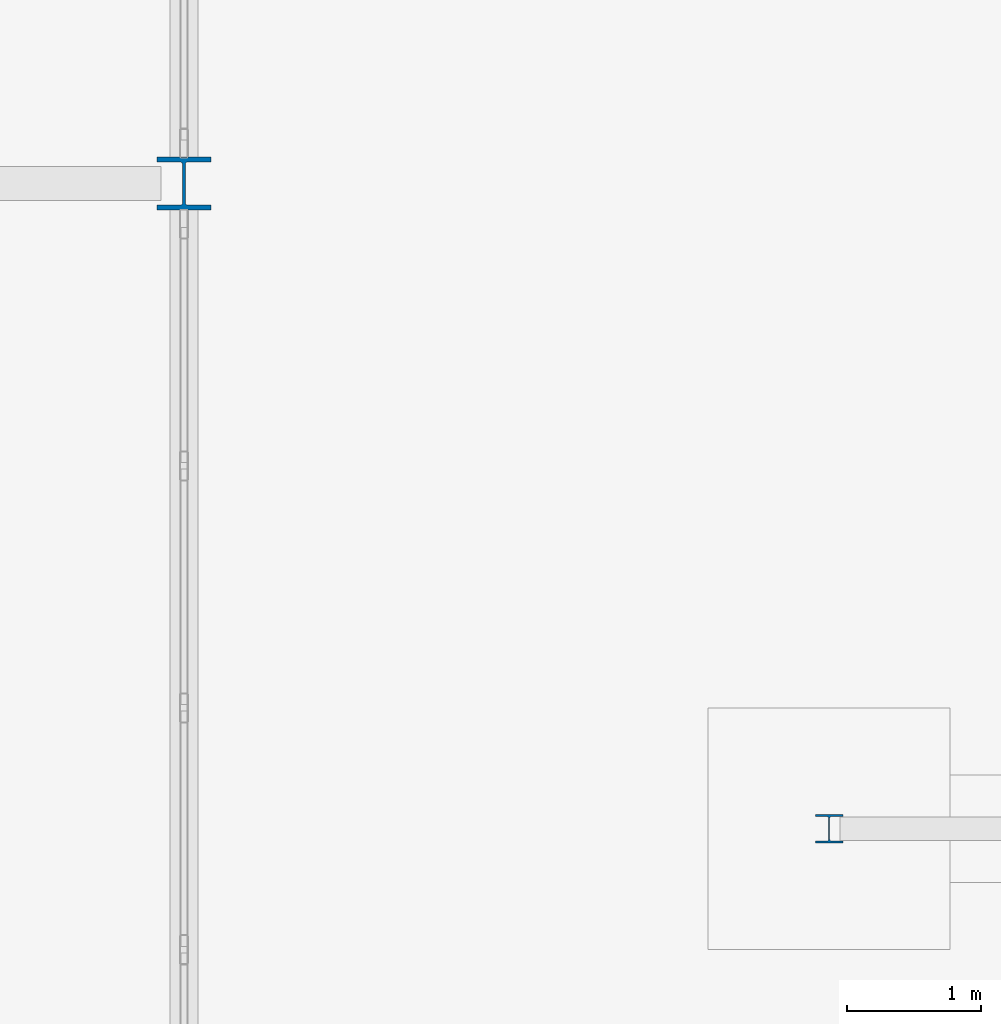
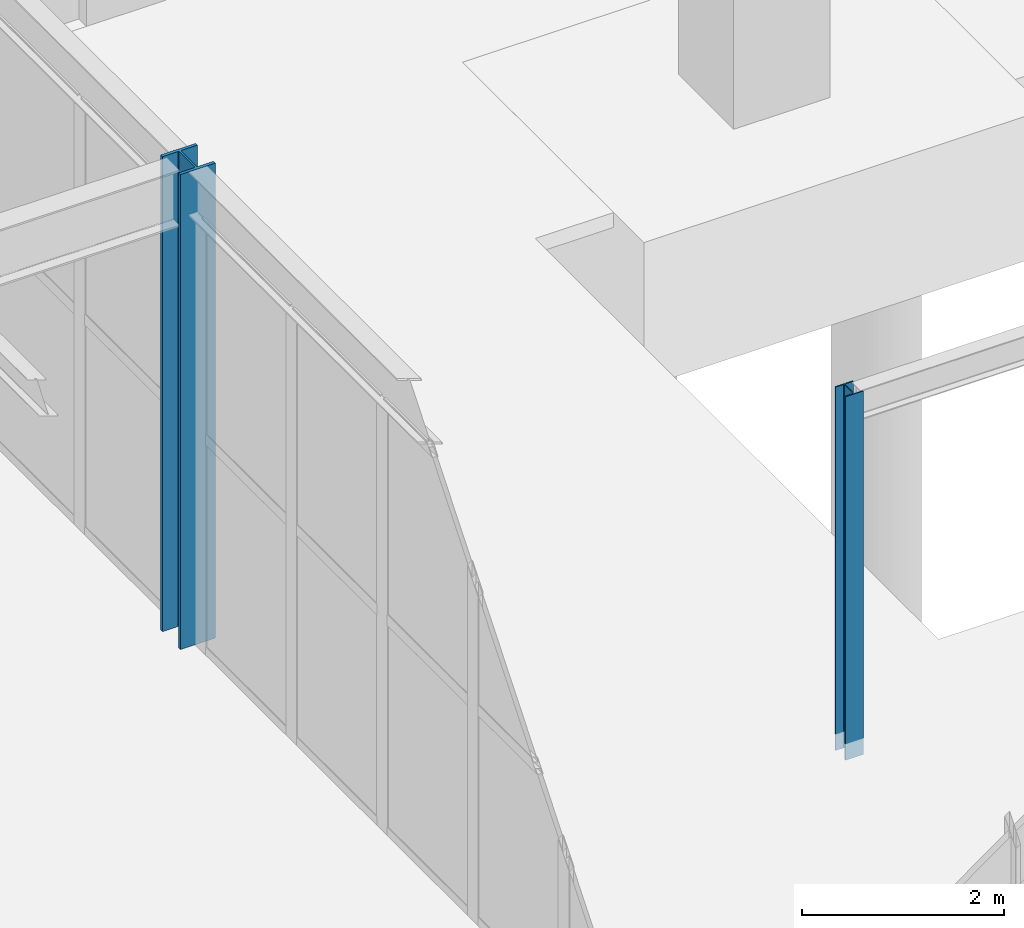
# One storey, part 8 of 142: 2 columns.
"""IFC4 building model written with IfcOpenShell, lengths in metres."""

from ifc_helpers import new_model, si_unit, direction, frame, origin, origin_2d, place, context, subcontext, project, spatial, i_section, extrude, material, material_profile, profile_set, type_object, element, save


model = new_model("IFC4")

# Units and contexts
model_context = context("Model", 3, precision=1e-05, world=origin(), true_north=direction((0.0, 1.0)))
body_context = subcontext(model_context, "Body", "Model", "MODEL_VIEW")
ifc_project = project(units=[si_unit("LENGTHUNIT", "METRE"), si_unit("AREAUNIT", "SQUARE_METRE"), si_unit("VOLUMEUNIT", "CUBIC_METRE"), si_unit("PLANEANGLEUNIT", "RADIAN"), si_unit("MASSUNIT", "GRAM", prefix="KILO")], contexts=[model_context])

# Site, building, storey
site_placement = place(None, origin())
site = spatial("IfcSite", under=ifc_project, at=site_placement, CompositionType="ELEMENT")
building_placement = place(site_placement, origin())
building = spatial("IfcBuilding", under=site, at=building_placement, Name="Coralgate Yard Interchange", CompositionType="ELEMENT")
storey_placement = place(building_placement, origin())
storey = spatial("IfcBuildingStorey", under=building, at=storey_placement, Name="L00", CompositionType="ELEMENT", Elevation=0.0)

# Columns
ifc_material = material(Name="Structural steel S355J2", Category="steel")
ifc_material_profile_1 = material_profile(ifc_material, i_section(OverallWidth=0.39892578125, OverallDepth=0.3935546875, WebThickness=0.022705078125, FlangeThickness=0.03662109375, FilletRadius=0.01513671875, at=origin_2d()), Name="UC 356x406x287")
ifc_profile_set_1 = profile_set([ifc_material_profile_1], Name="Structural steel S355J2")
column_type_1 = type_object("IfcColumnType", Name="COL-SC-1", PredefinedType="COLUMN", material=ifc_profile_set_1)
column_1_placement = place(storey_placement, frame((57.60009765625, 28.800048828125, 0.0), z_axis=(0.0, 0.0, 1.0), x_axis=(1.0, 0.0, 0.0)))
element("IfcColumn", 1, at=column_1_placement, inside=storey, type_object=column_type_1, Name="L00 structural column 6-3", PredefinedType="COLUMN", context=body_context, shape_type="SweptSolid", body=[
    extrude(i_section(OverallWidth=0.39892578125, OverallDepth=0.3935546875, WebThickness=0.022705078125, FlangeThickness=0.03662109375, FilletRadius=0.01513671875, at=origin_2d()), origin(), (0.0, 0.0, 1.0), 5.75),
])
ifc_material_profile_2 = material_profile(ifc_material, i_section(OverallWidth=0.205810546875, OverallDepth=0.209716796875, WebThickness=0.009521484375, FlangeThickness=0.01416015625, FilletRadius=0.01025390625, at=origin_2d()), Name="UC 203x203x60")
ifc_profile_set_2 = profile_set([ifc_material_profile_2], Name="Structural steel S355J2")
column_type_2 = type_object("IfcColumnType", Name="COL-SC-9", PredefinedType="COLUMN", material=ifc_profile_set_2)
column_2_placement = place(storey_placement, frame((62.39990234375, 24.0, -0.199951171875), z_axis=(0.0, 0.0, 1.0), x_axis=(1.0, 0.0, 0.0)))
element("IfcColumn", 2, at=column_2_placement, inside=storey, type_object=column_type_2, Name="Courtyard colonnade steel column 1", PredefinedType="COLUMN", context=body_context, shape_type="SweptSolid", body=[
    extrude(i_section(OverallWidth=0.205810546875, OverallDepth=0.209716796875, WebThickness=0.009521484375, FlangeThickness=0.01416015625, FilletRadius=0.01025390625, at=origin_2d()), origin(), (0.0, 0.0, 1.0), 4.39990234375),
])

save(model, "model.ifc")
